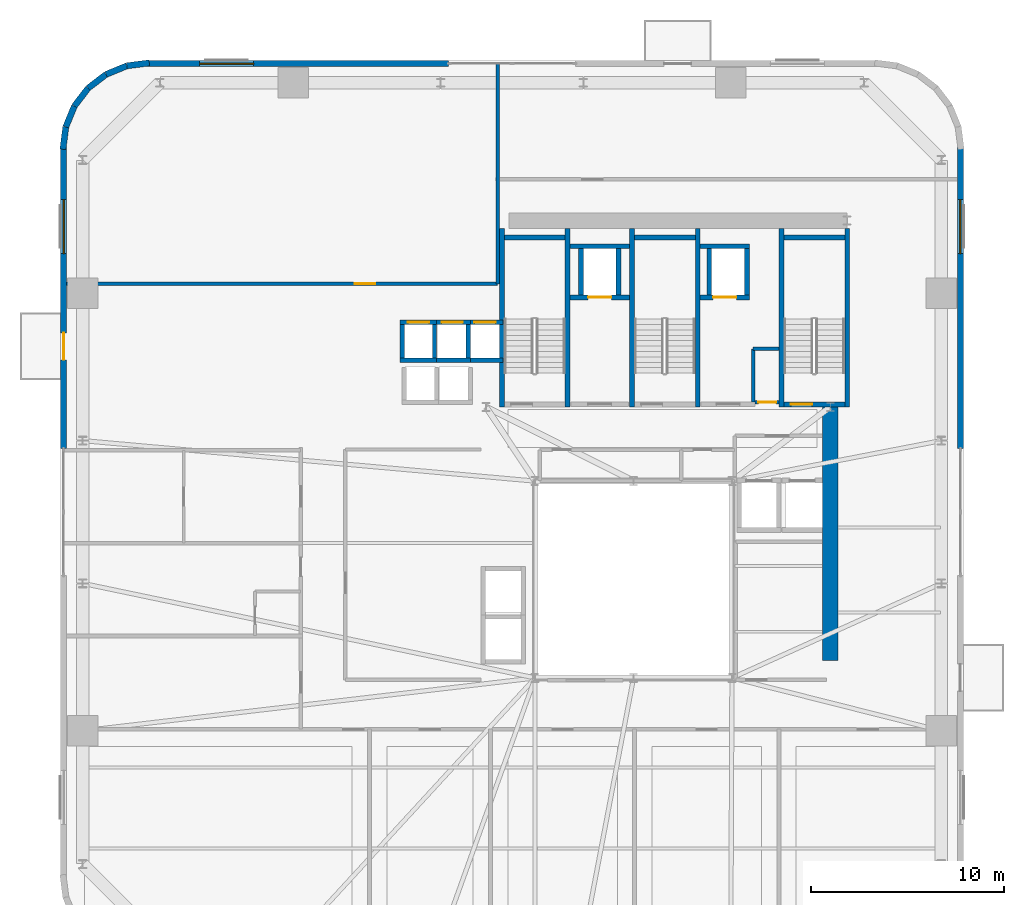
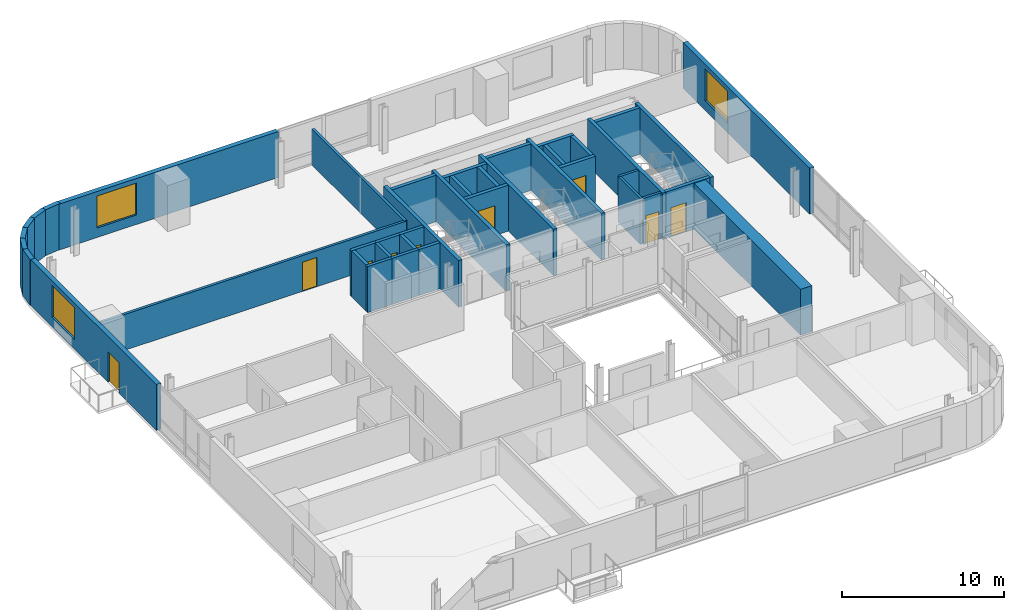
# One storey, part 8 of 12: 42 walls, 9 doors, 3 windows, 12 openings.
"""IFC4 building model written with IfcOpenShell, lengths in metres."""

from ifc_helpers import new_model, si_unit, direction, frame, frame_2d, origin, place, context, subcontext, project, spatial, rectangle, extrude, source, transform, mapped, material, layer, layer_set, type_object, element, fill, save


model = new_model("IFC4")

# Units and contexts
model_context = context("Model", 3, precision=1e-05, world=origin(), true_north=direction((0.0, 1.0)))
body_context = subcontext(model_context, "Body", "Model", "MODEL_VIEW")
ifc_project = project(units=[si_unit("LENGTHUNIT", "METRE"), si_unit("AREAUNIT", "SQUARE_METRE"), si_unit("VOLUMEUNIT", "CUBIC_METRE"), si_unit("PLANEANGLEUNIT", "RADIAN"), si_unit("MASSUNIT", "GRAM", prefix="KILO")], contexts=[model_context])

# Site, building, storey
site_placement = place(None, origin())
site = spatial("IfcSite", under=ifc_project, at=site_placement, CompositionType="ELEMENT")
building_placement = place(site_placement, origin())
building = spatial("IfcBuilding", under=site, at=building_placement, Name="Vardaveli Station Tower", CompositionType="ELEMENT")
storey_placement = place(building_placement, frame((0.0, 0.0, 118.699951171875)))
storey = spatial("IfcBuildingStorey", under=building, at=storey_placement, Name="L30", CompositionType="ELEMENT", Elevation=118.699951171875)

# Wall
ifc_material_1 = material(Name="Concrete C50/60", Category="concrete")
ifc_layer_1 = layer(ifc_material_1, 0.800048828125, Name="Concrete C50/60")
ifc_layer_set_1 = layer_set([ifc_layer_1], Name="Concrete C50/60")
wall_type_1 = type_object("IfcWallType", Name="WAL-CORE-800", PredefinedType="SHEAR", material=ifc_layer_set_1)
shared_shape_1 = source(origin(), body_context, "Body", "SweptSolid", [
    extrude(rectangle(XDim=13.14990234375, YDim=0.800048828125, at=frame_2d((6.574951171875, 0.0))), origin(), (0.0, 0.0, 1.0), 3.4599609375),
])
wall_1_placement = place(storey_placement, frame((46.5, 17.5, 0.0), z_axis=(0.0, 0.0, 1.0), x_axis=(0.0, 1.0, 0.0)))
element("IfcWall", 1, at=wall_1_placement, inside=storey, type_object=wall_type_1, Name="SW-L30-EAST2", PredefinedType="SHEAR", context=body_context, shape_type="MappedRepresentation", body=[
    mapped(shared_shape_1, transform((0.0, 0.0, 0.0), scale=1.0)),
])

# Wall, opening, window
ifc_material_2 = material(Name="Precast concrete C45/55", Category="concrete")
ifc_layer_2 = layer(ifc_material_2, 0.320068359375, Name="Precast concrete C45/55")
ifc_layer_set_2 = layer_set([ifc_layer_2], Name="Precast concrete C45/55")
wall_type_2 = type_object("IfcWallType", Name="WAL-EXT-STONE-320", PredefinedType="SOLIDWALL", material=ifc_layer_set_2)
shared_shape_2 = source(origin(), body_context, "Body", "SweptSolid", [
    extrude(rectangle(XDim=15.599853515625, YDim=0.320068359375, at=frame_2d((7.7998046875, 0.0))), origin(), (0.0, 0.0, 1.0), 3.4599609375),
])
wall_2_placement = place(storey_placement, frame((26.699951171875, 48.43994140625, 0.0), z_axis=(0.0, 0.0, 1.0), x_axis=(-1.0, 0.0, 0.0)))
wall_2 = element("IfcWall", 2, at=wall_2_placement, inside=storey, type_object=wall_type_2, Name="EW-L30-N2", PredefinedType="SOLIDWALL", context=body_context, shape_type="MappedRepresentation", body=[
    mapped(shared_shape_2, transform((0.0, 0.0, 0.0), scale=1.0)),
])
shared_shape_3 = source(origin(), body_context, "Body", "SweptSolid", [
    extrude(rectangle(XDim=2.800048828125, YDim=2.39990234375, at=frame_2d((1.39990234375, 1.199951171875))), frame((0.0, 0.169921875, 0.0), z_axis=(0.0, -1.0, 0.0), x_axis=(1.0, 0.0, 0.0)), (0.0, 0.0, 1.0), 0.340087890625),
])
opening_1_placement = place(wall_2_placement, frame((10.094970703125, 0.0, 0.719970703125)))
opening_1 = element("IfcOpeningElement", 3, at=opening_1_placement, cuts=wall_2, Name="Opening W-04", PredefinedType="OPENING", context=body_context, shape_type="MappedRepresentation", body=[
    mapped(shared_shape_3, transform((0.0, 0.0, 0.0), scale=1.0)),
])
ifc_material_3 = material(Name="Low-E solar-control glass", Category="glass")
window_type = type_object("IfcWindowType", Name="WIN-SUITE-2800x2400", PartitioningType="SINGLE_PANEL", PredefinedType="WINDOW", material=ifc_material_3)
shared_shape_4 = source(origin(), body_context, "Body", "SweptSolid", [
    extrude(rectangle(XDim=2.800048828125, YDim=2.39990234375, at=frame_2d((1.39990234375, 1.199951171875))), frame((0.0, 0.030029296875, 0.0), z_axis=(0.0, -1.0, 0.0), x_axis=(1.0, 0.0, 0.0)), (0.0, 0.0, 1.0), 0.06005859375),
])
window_1_placement = place(opening_1_placement, origin())
window_1 = element("IfcWindow", 4, at=window_1_placement, inside=storey, type_object=window_type, Name="WN-L30-N2", OverallHeight=2.39990234375, OverallWidth=2.800048828125, PartitioningType="SINGLE_PANEL", PredefinedType="WINDOW", context=body_context, shape_type="MappedRepresentation", body=[
    mapped(shared_shape_4, transform((0.0, 0.0, 0.0), scale=1.0)),
])
fill(opening_1, window_1)

# Wall, openings, door, window
shared_shape_5 = source(origin(), body_context, "Body", "SweptSolid", [
    extrude(rectangle(XDim=15.60009765625, YDim=0.320068359375, at=frame_2d((7.800048828125, 0.0))), origin(), (0.0, 0.0, 1.0), 3.4599609375),
])
wall_3_placement = place(storey_placement, frame((6.760009765625, 44.10009765625, 0.0), z_axis=(0.0, 0.0, 1.0), x_axis=(0.0, -1.0, 0.0)))
wall_3 = element("IfcWall", 5, at=wall_3_placement, inside=storey, type_object=wall_type_2, Name="EW-L30-W1", PredefinedType="SOLIDWALL", context=body_context, shape_type="MappedRepresentation", body=[
    mapped(shared_shape_5, transform((0.0, 0.0, 0.0), scale=1.0)),
])
shared_shape_6 = source(origin(), body_context, "Body", "SweptSolid", [
    extrude(rectangle(XDim=1.39990234375, YDim=2.300048828125, at=frame_2d((0.699951171875, 1.14990234375))), frame((0.0, 0.169921875, 0.0), z_axis=(0.0, -1.0, 0.0), x_axis=(1.0, 0.0, 0.0)), (0.0, 0.0, 1.0), 0.340087890625),
])
opening_2_placement = place(wall_3_placement, frame((9.6103515625, 0.0, 0.0)))
opening_2 = element("IfcOpeningElement", 6, at=opening_2_placement, cuts=wall_3, Name="Opening D-09", PredefinedType="OPENING", context=body_context, shape_type="MappedRepresentation", body=[
    mapped(shared_shape_6, transform((0.0, 0.0, 0.0), scale=1.0)),
])
opening_3_placement = place(wall_3_placement, frame((2.705078125, 0.0, 0.719970703125)))
opening_3 = element("IfcOpeningElement", 7, at=opening_3_placement, cuts=wall_3, Name="Opening W-04", PredefinedType="OPENING", context=body_context, shape_type="MappedRepresentation", body=[
    mapped(shared_shape_3, transform((0.0, 0.0, 0.0), scale=1.0)),
])
ifc_material_4 = material(Name="Thermally broken aluminium glass", Category="aluminium")
door_type_1 = type_object("IfcDoorType", Name="DR-LOG-1400x2300", OperationType="DOUBLE_DOOR_SLIDING", PredefinedType="DOOR", material=ifc_material_4)
shared_shape_7 = source(origin(), body_context, "Body", "SweptSolid", [
    extrude(rectangle(XDim=1.39990234375, YDim=2.300048828125, at=frame_2d((0.699951171875, 1.14990234375))), frame((0.0, 0.02490234375, 0.0), z_axis=(0.0, -1.0, 0.0), x_axis=(1.0, 0.0, 0.0)), (0.0, 0.0, 1.0), 0.050048828125),
])
door_1_placement = place(opening_2_placement, frame((1.39990234375, 0.0, 0.0), z_axis=(0.0, 0.0, 1.0), x_axis=(-1.0, 0.0, 0.0)))
door_1 = element("IfcDoor", 8, at=door_1_placement, inside=storey, type_object=door_type_1, Name="DLG-L30-W", OperationType="DOUBLE_DOOR_SLIDING", OverallHeight=2.300048828125, OverallWidth=1.39990234375, PredefinedType="DOOR", context=body_context, shape_type="MappedRepresentation", body=[
    mapped(shared_shape_7, transform((0.0, 0.0, 0.0), scale=1.0)),
])
fill(opening_2, door_1)
window_2_placement = place(opening_3_placement, origin())
window_2 = element("IfcWindow", 9, at=window_2_placement, inside=storey, type_object=window_type, Name="WN-L30-W1", OverallHeight=2.39990234375, OverallWidth=2.800048828125, PartitioningType="SINGLE_PANEL", PredefinedType="WINDOW", context=body_context, shape_type="MappedRepresentation", body=[
    mapped(shared_shape_4, transform((0.0, 0.0, 0.0), scale=1.0)),
])
fill(opening_3, window_2)

# Wall, opening, window
wall_4_placement = place(storey_placement, frame((53.239990234375, 28.5, 0.0), z_axis=(0.0, 0.0, 1.0), x_axis=(0.0, 1.0, 0.0)))
wall_4 = element("IfcWall", 10, at=wall_4_placement, inside=storey, type_object=wall_type_2, Name="EW-L30-E2", PredefinedType="SOLIDWALL", context=body_context, shape_type="MappedRepresentation", body=[
    mapped(shared_shape_5, transform((0.0, 0.0, 0.0), scale=1.0)),
])
opening_4_placement = place(wall_4_placement, frame((10.094970703125, 0.0, 0.719970703125)))
opening_4 = element("IfcOpeningElement", 11, at=opening_4_placement, cuts=wall_4, Name="Opening W-04", PredefinedType="OPENING", context=body_context, shape_type="MappedRepresentation", body=[
    mapped(shared_shape_3, transform((0.0, 0.0, 0.0), scale=1.0)),
])
window_3_placement = place(opening_4_placement, origin())
window_3 = element("IfcWindow", 12, at=window_3_placement, inside=storey, type_object=window_type, Name="WN-L30-E2", OverallHeight=2.39990234375, OverallWidth=2.800048828125, PartitioningType="SINGLE_PANEL", PredefinedType="WINDOW", context=body_context, shape_type="MappedRepresentation", body=[
    mapped(shared_shape_4, transform((0.0, 0.0, 0.0), scale=1.0)),
])
fill(opening_4, window_3)

# Walls
shared_shape_8 = source(origin(), body_context, "Body", "SweptSolid", [
    extrude(rectangle(XDim=1.1689453125, YDim=0.320068359375, at=frame_2d((0.58447265625, 0.0))), origin(), (0.0, 0.0, 1.0), 3.4599609375),
])
wall_5_placement = place(storey_placement, frame((8.03125, 47.1689453125, 0.0), z_axis=(0.0, 0.0, 1.0), x_axis=(-0.608387696831, -0.793639975269, 0.0)))
element("IfcWall", 13, at=wall_5_placement, inside=storey, type_object=wall_type_2, Name="EW-L30-CR4-4", PredefinedType="SOLIDWALL", context=body_context, shape_type="MappedRepresentation", body=[
    mapped(shared_shape_8, transform((0.0, 0.0, 0.0), scale=1.0)),
])
shared_shape_9 = source(origin(), body_context, "Body", "SweptSolid", [
    extrude(rectangle(XDim=1.168701171875, YDim=0.320068359375, at=frame_2d((0.58447265625, 0.0))), origin(), (0.0, 0.0, 1.0), 3.4599609375),
])
wall_6_placement = place(storey_placement, frame((8.958740234375, 47.8798828125, 0.0), z_axis=(0.0, 0.0, 1.0), x_axis=(-0.793663520347, -0.608356981114, 0.0)))
element("IfcWall", 14, at=wall_6_placement, inside=storey, type_object=wall_type_2, Name="EW-L30-CR4-3", PredefinedType="SOLIDWALL", context=body_context, shape_type="MappedRepresentation", body=[
    mapped(shared_shape_9, transform((0.0, 0.0, 0.0), scale=1.0)),
])
shared_shape_10 = source(origin(), body_context, "Body", "SweptSolid", [
    extrude(rectangle(XDim=1.17041015625, YDim=0.320068359375, at=frame_2d((0.585205078125, 0.0))), origin(), (0.0, 0.0, 1.0), 3.4599609375),
])
for number, where, z_axis, x_axis, name in (
    (15, (11.200439453125, 48.4755859375, 0.0), (0.0, 0.0, 1.0), (-0.991735963317, -0.128295670475, 0.0), "EW-L30-CR4-1"),
    (16, (6.87451171875, 45.16015625, 0.0), (0.0, 0.0, 1.0), (-0.128295670475, -0.991735963317, 0.0), "EW-L30-CR4-6"),
):
    element("IfcWall", number, at=place(storey_placement, frame(where, z_axis=z_axis, x_axis=x_axis)), inside=storey, type_object=wall_type_2, Name=name, PredefinedType="SOLIDWALL", context=body_context, shape_type="MappedRepresentation", body=[
        mapped(shared_shape_10, transform((0.0, 0.0, 0.0), scale=1.0)),
    ])
shared_shape_11 = source(origin(), body_context, "Body", "SweptSolid", [
    extrude(rectangle(XDim=1.169189453125, YDim=0.320068359375, at=frame_2d((0.58447265625, 0.0))), origin(), (0.0, 0.0, 1.0), 3.4599609375),
])
for number, where, z_axis, x_axis, name in (
    (17, (10.039794921875, 48.325439453125, 0.0), (0.0, 0.0, 1.0), (-0.924552646638, -0.381054331552, 0.0), "EW-L30-CR4-2"),
    (18, (7.320068359375, 46.2412109375, 0.0), (0.0, 0.0, 1.0), (-0.381054331552, -0.924552646638, 0.0), "EW-L30-CR4-5"),
):
    element("IfcWall", number, at=place(storey_placement, frame(where, z_axis=z_axis, x_axis=x_axis)), inside=storey, type_object=wall_type_2, Name=name, PredefinedType="SOLIDWALL", context=body_context, shape_type="MappedRepresentation", body=[
        mapped(shared_shape_11, transform((0.0, 0.0, 0.0), scale=1.0)),
    ])
ifc_material_5 = material(Name="Concrete C40/50", Category="concrete")
ifc_layer_3 = layer(ifc_material_5, 0.25, Name="Concrete C40/50")
ifc_layer_set_3 = layer_set([ifc_layer_3], Name="Concrete C40/50")
wall_type_3 = type_object("IfcWallType", Name="WAL-SHAFT-250", PredefinedType="SOLIDWALL", material=ifc_layer_set_3)
shared_shape_12 = source(origin(), body_context, "Body", "SweptSolid", [
    extrude(rectangle(XDim=9.25, YDim=0.25, at=frame_2d((4.625, 0.0))), origin(), (0.0, 0.0, 1.0), 3.5),
])
for number, where, z_axis, x_axis, name in (
    (19, (29.47509765625, 30.64990234375, 0.0), (0.0, 0.0, 1.0), (0.0, 1.0, 0.0), "W-L30-ST-1W"),
    (20, (32.875, 30.64990234375, 0.0), (0.0, 0.0, 1.0), (0.0, 1.0, 0.0), "W-L30-ST-1E"),
    (21, (36.22509765625, 30.64990234375, 0.0), (0.0, 0.0, 1.0), (0.0, 1.0, 0.0), "W-L30-ST-2W"),
    (22, (39.625, 30.64990234375, 0.0), (0.0, 0.0, 1.0), (0.0, 1.0, 0.0), "W-L30-ST-2E"),
    (23, (43.97509765625, 30.64990234375, 0.0), (0.0, 0.0, 1.0), (0.0, 1.0, 0.0), "W-L30-ST-3W"),
    (24, (47.375, 30.64990234375, 0.0), (0.0, 0.0, 1.0), (0.0, 1.0, 0.0), "W-L30-ST-3E"),
):
    element("IfcWall", number, at=place(storey_placement, frame(where, z_axis=z_axis, x_axis=x_axis)), inside=storey, type_object=wall_type_3, Name=name, PredefinedType="SOLIDWALL", context=body_context, shape_type="MappedRepresentation", body=[
        mapped(shared_shape_12, transform((0.0, 0.0, 0.0), scale=1.0)),
    ])
shared_shape_13 = source(origin(), body_context, "Body", "SweptSolid", [
    extrude(rectangle(XDim=3.14990234375, YDim=0.25, at=frame_2d((1.574951171875, 0.0))), origin(), (0.0, 0.0, 1.0), 3.5),
])
for number, where, z_axis, x_axis, name in (
    (25, (29.60009765625, 39.425048828125, 0.0), (0.0, 0.0, 1.0), (1.0, 0.0, 0.0), "W-L30-ST-1N"),
    (26, (36.35009765625, 39.425048828125, 0.0), (0.0, 0.0, 1.0), (1.0, 0.0, 0.0), "W-L30-ST-2N"),
    (27, (44.10009765625, 39.425048828125, 0.0), (0.0, 0.0, 1.0), (1.0, 0.0, 0.0), "W-L30-ST-3N"),
):
    element("IfcWall", number, at=place(storey_placement, frame(where, z_axis=z_axis, x_axis=x_axis)), inside=storey, type_object=wall_type_3, Name=name, PredefinedType="SOLIDWALL", context=body_context, shape_type="MappedRepresentation", body=[
        mapped(shared_shape_13, transform((0.0, 0.0, 0.0), scale=1.0)),
    ])

# Wall, opening, door
wall_7_placement = place(storey_placement, frame((44.10009765625, 30.77490234375, 0.0), z_axis=(0.0, 0.0, 1.0), x_axis=(1.0, 0.0, 0.0)))
wall_7 = element("IfcWall", 28, at=wall_7_placement, inside=storey, type_object=wall_type_3, Name="W-L30-ST-3S", PredefinedType="SOLIDWALL", context=body_context, shape_type="MappedRepresentation", body=[
    mapped(shared_shape_13, transform((0.0, 0.0, 0.0), scale=1.0)),
])
shared_shape_14 = source(origin(), body_context, "Body", "SweptSolid", [
    extrude(rectangle(XDim=1.10009765625, YDim=2.199951171875, at=frame_2d((0.550048828125, 1.10009765625))), frame((0.0, 0.135009765625, 0.0), z_axis=(0.0, -1.0, 0.0), x_axis=(1.0, 0.0, 0.0)), (0.0, 0.0, 1.0), 0.27001953125),
])
opening_5_placement = place(wall_7_placement, frame((0.35009765625, 0.0, 0.0)))
opening_5 = element("IfcOpeningElement", 29, at=opening_5_placement, cuts=wall_7, Name="Opening D-04", PredefinedType="OPENING", context=body_context, shape_type="MappedRepresentation", body=[
    mapped(shared_shape_14, transform((0.0, 0.0, 0.0), scale=1.0)),
])
ifc_material_6 = material(Name="Steel smokeproof fire doorset", Category="steel")
door_type_2 = type_object("IfcDoorType", Name="DR-ST-1100x2200", OperationType="NOTDEFINED", PredefinedType="DOOR", material=ifc_material_6)
shared_shape_15 = source(origin(), body_context, "Body", "SweptSolid", [
    extrude(rectangle(XDim=1.10009765625, YDim=2.199951171875, at=frame_2d((0.550048828125, 1.10009765625))), frame((0.0, 0.02490234375, 0.0), z_axis=(0.0, -1.0, 0.0), x_axis=(1.0, 0.0, 0.0)), (0.0, 0.0, 1.0), 0.050048828125),
])
door_2_placement = place(opening_5_placement, origin())
door_2 = element("IfcDoor", 30, at=door_2_placement, inside=storey, type_object=door_type_2, Name="DST-3-L30", OperationType="SINGLE_SWING_LEFT", OverallHeight=2.199951171875, OverallWidth=1.10009765625, PredefinedType="DOOR", context=body_context, shape_type="MappedRepresentation", body=[
    mapped(shared_shape_15, transform((0.0, 0.0, 0.0), scale=1.0)),
])
fill(opening_5, door_2)

# Wall
ifc_layer_4 = layer(ifc_material_5, 0.219970703125, Name="Concrete C40/50")
ifc_layer_set_4 = layer_set([ifc_layer_4], Name="Concrete C40/50")
wall_type_4 = type_object("IfcWallType", Name="WAL-FFLOBBY-220", PredefinedType="SOLIDWALL", material=ifc_layer_set_4)
shared_shape_16 = source(origin(), body_context, "Body", "SweptSolid", [
    extrude(rectangle(XDim=1.889892578125, YDim=0.219970703125, at=frame_2d((0.94482421875, 0.0))), origin(), (0.0, 0.0, 1.0), 3.4599609375),
])
wall_8_placement = place(storey_placement, frame((24.205078125, 33.06494140625, 0.0), z_axis=(0.0, 0.0, 1.0), x_axis=(1.0, 0.0, 0.0)))
element("IfcWall", 31, at=wall_8_placement, inside=storey, type_object=wall_type_4, Name="SHW-HL2-01-L30-S", PredefinedType="SOLIDWALL", context=body_context, shape_type="MappedRepresentation", body=[
    mapped(shared_shape_16, transform((0.0, 0.0, 0.0), scale=1.0)),
])

# Wall, opening, door
wall_9_placement = place(storey_placement, frame((24.205078125, 35.034912109375, 0.0), z_axis=(0.0, 0.0, 1.0), x_axis=(1.0, 0.0, 0.0)))
wall_9 = element("IfcWall", 32, at=wall_9_placement, inside=storey, type_object=wall_type_4, Name="SHW-HL2-01-L30-N", PredefinedType="SOLIDWALL", context=body_context, shape_type="MappedRepresentation", body=[
    mapped(shared_shape_16, transform((0.0, 0.0, 0.0), scale=1.0)),
])
shared_shape_17 = source(origin(), body_context, "Body", "SweptSolid", [
    extrude(rectangle(XDim=1.10009765625, YDim=2.199951171875, at=frame_2d((0.550048828125, 1.10009765625))), frame((0.0, 0.1201171875, 0.0), z_axis=(0.0, -1.0, 0.0), x_axis=(1.0, 0.0, 0.0)), (0.0, 0.0, 1.0), 0.239990234375),
])
opening_6_placement = place(wall_9_placement, frame((0.39501953125, 0.0, 0.0)))
opening_6 = element("IfcOpeningElement", 33, at=opening_6_placement, cuts=wall_9, Name="Opening LD-01", PredefinedType="OPENING", context=body_context, shape_type="MappedRepresentation", body=[
    mapped(shared_shape_17, transform((0.0, 0.0, 0.0), scale=1.0)),
])
ifc_material_7 = material(Name="Brushed stainless steel", Category="steel")
door_type_3 = type_object("IfcDoorType", Name="DR-LD-1100x2200", OperationType="DOUBLE_DOOR_SLIDING", PredefinedType="DOOR", material=ifc_material_7)
door_3_placement = place(opening_6_placement, origin())
door_3 = element("IfcDoor", 34, at=door_3_placement, inside=storey, type_object=door_type_3, Name="LD-HL2-01-L30", OperationType="DOUBLE_DOOR_SLIDING", OverallHeight=2.199951171875, OverallWidth=1.10009765625, PredefinedType="DOOR", context=body_context, shape_type="MappedRepresentation", body=[
    mapped(shared_shape_15, transform((0.0, 0.0, 0.0), scale=1.0)),
])
fill(opening_6, door_3)

# Wall
wall_10_placement = place(storey_placement, frame((25.955078125, 33.06494140625, 0.0), z_axis=(0.0, 0.0, 1.0), x_axis=(1.0, 0.0, 0.0)))
element("IfcWall", 35, at=wall_10_placement, inside=storey, type_object=wall_type_4, Name="SHW-HL2-02-L30-S", PredefinedType="SOLIDWALL", context=body_context, shape_type="MappedRepresentation", body=[
    mapped(shared_shape_16, transform((0.0, 0.0, 0.0), scale=1.0)),
])

# Wall, opening, door
wall_11_placement = place(storey_placement, frame((25.955078125, 35.034912109375, 0.0), z_axis=(0.0, 0.0, 1.0), x_axis=(1.0, 0.0, 0.0)))
wall_11 = element("IfcWall", 36, at=wall_11_placement, inside=storey, type_object=wall_type_4, Name="SHW-HL2-02-L30-N", PredefinedType="SOLIDWALL", context=body_context, shape_type="MappedRepresentation", body=[
    mapped(shared_shape_16, transform((0.0, 0.0, 0.0), scale=1.0)),
])
opening_7_placement = place(wall_11_placement, frame((0.39501953125, 0.0, 0.0)))
opening_7 = element("IfcOpeningElement", 37, at=opening_7_placement, cuts=wall_11, Name="Opening LD-01", PredefinedType="OPENING", context=body_context, shape_type="MappedRepresentation", body=[
    mapped(shared_shape_17, transform((0.0, 0.0, 0.0), scale=1.0)),
])
door_4_placement = place(opening_7_placement, origin())
door_4 = element("IfcDoor", 38, at=door_4_placement, inside=storey, type_object=door_type_3, Name="LD-HL2-02-L30", OperationType="DOUBLE_DOOR_SLIDING", OverallHeight=2.199951171875, OverallWidth=1.10009765625, PredefinedType="DOOR", context=body_context, shape_type="MappedRepresentation", body=[
    mapped(shared_shape_15, transform((0.0, 0.0, 0.0), scale=1.0)),
])
fill(opening_7, door_4)

# Wall
wall_12_placement = place(storey_placement, frame((27.655029296875, 33.06494140625, 0.0), z_axis=(0.0, 0.0, 1.0), x_axis=(1.0, 0.0, 0.0)))
element("IfcWall", 39, at=wall_12_placement, inside=storey, type_object=wall_type_4, Name="SHW-HL2-03-L30-S", PredefinedType="SOLIDWALL", context=body_context, shape_type="MappedRepresentation", body=[
    mapped(shared_shape_16, transform((0.0, 0.0, 0.0), scale=1.0)),
])

# Wall, opening, door
wall_13_placement = place(storey_placement, frame((27.655029296875, 35.034912109375, 0.0), z_axis=(0.0, 0.0, 1.0), x_axis=(1.0, 0.0, 0.0)))
wall_13 = element("IfcWall", 40, at=wall_13_placement, inside=storey, type_object=wall_type_4, Name="SHW-HL2-03-L30-N", PredefinedType="SOLIDWALL", context=body_context, shape_type="MappedRepresentation", body=[
    mapped(shared_shape_16, transform((0.0, 0.0, 0.0), scale=1.0)),
])
opening_8_placement = place(wall_13_placement, frame((0.39501953125, 0.0, 0.0)))
opening_8 = element("IfcOpeningElement", 41, at=opening_8_placement, cuts=wall_13, Name="Opening LD-01", PredefinedType="OPENING", context=body_context, shape_type="MappedRepresentation", body=[
    mapped(shared_shape_17, transform((0.0, 0.0, 0.0), scale=1.0)),
])
door_5_placement = place(opening_8_placement, origin())
door_5 = element("IfcDoor", 42, at=door_5_placement, inside=storey, type_object=door_type_3, Name="LD-HL2-03-L30", OperationType="DOUBLE_DOOR_SLIDING", OverallHeight=2.199951171875, OverallWidth=1.10009765625, PredefinedType="DOOR", context=body_context, shape_type="MappedRepresentation", body=[
    mapped(shared_shape_15, transform((0.0, 0.0, 0.0), scale=1.0)),
])
fill(opening_8, door_5)

# Walls
shared_shape_18 = source(origin(), body_context, "Body", "SweptSolid", [
    extrude(rectangle(XDim=1.75, YDim=0.219970703125, at=frame_2d((0.875, 0.0))), origin(), (0.0, 0.0, 1.0), 3.4599609375),
])
for number, where, z_axis, x_axis, name in (
    (43, (24.31494140625, 33.175048828125, 0.0), (0.0, 0.0, 1.0), (0.0, 1.0, 0.0), "SHW-HL2-01-L30-W"),
    (44, (25.985107421875, 33.175048828125, 0.0), (0.0, 0.0, 1.0), (0.0, 1.0, 0.0), "SHW-HL2-01-L30-E"),
    (45, (27.735107421875, 33.175048828125, 0.0), (0.0, 0.0, 1.0), (0.0, 1.0, 0.0), "SHW-HL2-02-L30-E"),
):
    element("IfcWall", number, at=place(storey_placement, frame(where, z_axis=z_axis, x_axis=x_axis)), inside=storey, type_object=wall_type_4, Name=name, PredefinedType="SOLIDWALL", context=body_context, shape_type="MappedRepresentation", body=[
        mapped(shared_shape_18, transform((0.0, 0.0, 0.0), scale=1.0)),
    ])

# Wall, opening, door
shared_shape_19 = source(origin(), body_context, "Body", "SweptSolid", [
    extrude(rectangle(XDim=3.10009765625, YDim=0.25, at=frame_2d((1.550048828125, 0.0))), origin(), (0.0, 0.0, 1.0), 3.4599609375),
])
wall_14_placement = place(storey_placement, frame((33.0, 36.324951171875, 0.0), z_axis=(0.0, 0.0, 1.0), x_axis=(1.0, 0.0, 0.0)))
wall_14 = element("IfcWall", 46, at=wall_14_placement, inside=storey, type_object=wall_type_3, Name="SHW-FFL-01-L30-S", PredefinedType="SOLIDWALL", context=body_context, shape_type="MappedRepresentation", body=[
    mapped(shared_shape_19, transform((0.0, 0.0, 0.0), scale=1.0)),
])
shared_shape_20 = source(origin(), body_context, "Body", "SweptSolid", [
    extrude(rectangle(XDim=1.199951171875, YDim=2.25, at=frame_2d((0.60009765625, 1.125))), frame((0.0, 0.135009765625, 0.0), z_axis=(0.0, -1.0, 0.0), x_axis=(1.0, 0.0, 0.0)), (0.0, 0.0, 1.0), 0.27001953125),
])
opening_9_placement = place(wall_14_placement, frame((0.949951171875, 0.0, 0.0)))
opening_9 = element("IfcOpeningElement", 47, at=opening_9_placement, cuts=wall_14, Name="Opening LD-02", PredefinedType="OPENING", context=body_context, shape_type="MappedRepresentation", body=[
    mapped(shared_shape_20, transform((0.0, 0.0, 0.0), scale=1.0)),
])
door_type_4 = type_object("IfcDoorType", Name="DR-LD-1200x2250", OperationType="DOUBLE_DOOR_SLIDING", PredefinedType="DOOR", material=ifc_material_7)
shared_shape_21 = source(origin(), body_context, "Body", "SweptSolid", [
    extrude(rectangle(XDim=1.199951171875, YDim=2.25, at=frame_2d((0.60009765625, 1.125))), frame((0.0, 0.02490234375, 0.0), z_axis=(0.0, -1.0, 0.0), x_axis=(1.0, 0.0, 0.0)), (0.0, 0.0, 1.0), 0.050048828125),
])
door_6_placement = place(opening_9_placement, origin())
door_6 = element("IfcDoor", 48, at=door_6_placement, inside=storey, type_object=door_type_4, Name="LD-FFL-01-L30", OperationType="DOUBLE_DOOR_SLIDING", OverallHeight=2.25, OverallWidth=1.199951171875, PredefinedType="DOOR", context=body_context, shape_type="MappedRepresentation", body=[
    mapped(shared_shape_21, transform((0.0, 0.0, 0.0), scale=1.0)),
])
fill(opening_9, door_6)

# Walls
wall_15_placement = place(storey_placement, frame((33.0, 38.97509765625, 0.0), z_axis=(0.0, 0.0, 1.0), x_axis=(1.0, 0.0, 0.0)))
element("IfcWall", 49, at=wall_15_placement, inside=storey, type_object=wall_type_3, Name="SHW-FFL-01-L30-N", PredefinedType="SOLIDWALL", context=body_context, shape_type="MappedRepresentation", body=[
    mapped(shared_shape_19, transform((0.0, 0.0, 0.0), scale=1.0)),
])
shared_shape_22 = source(origin(), body_context, "Body", "SweptSolid", [
    extrude(rectangle(XDim=2.400146484375, YDim=0.25, at=frame_2d((1.2001953125, 0.0))), origin(), (0.0, 0.0, 1.0), 3.4599609375),
])
for number, where, z_axis, x_axis, name in (
    (50, (33.574951171875, 36.449951171875, 0.0), (0.0, 0.0, 1.0), (0.0, 1.0, 0.0), "SHW-FFL-01-L30-W"),
    (51, (35.52490234375, 36.449951171875, 0.0), (0.0, 0.0, 1.0), (0.0, 1.0, 0.0), "SHW-FFL-01-L30-E"),
    (52, (40.22509765625, 36.449951171875, 0.0), (0.0, 0.0, 1.0), (0.0, 1.0, 0.0), "SHW-FFL-02-L30-W"),
    (53, (42.175048828125, 36.449951171875, 0.0), (0.0, 0.0, 1.0), (0.0, 1.0, 0.0), "SHW-FFL-02-L30-E"),
):
    element("IfcWall", number, at=place(storey_placement, frame(where, z_axis=z_axis, x_axis=x_axis)), inside=storey, type_object=wall_type_3, Name=name, PredefinedType="SOLIDWALL", context=body_context, shape_type="MappedRepresentation", body=[
        mapped(shared_shape_22, transform((0.0, 0.0, 0.0), scale=1.0)),
    ])

# Wall, opening, door
shared_shape_23 = source(origin(), body_context, "Body", "SweptSolid", [
    extrude(rectangle(XDim=2.550048828125, YDim=0.25, at=frame_2d((1.27490234375, 0.0))), origin(), (0.0, 0.0, 1.0), 3.4599609375),
])
wall_16_placement = place(storey_placement, frame((39.75, 36.324951171875, 0.0), z_axis=(0.0, 0.0, 1.0), x_axis=(1.0, 0.0, 0.0)))
wall_16 = element("IfcWall", 54, at=wall_16_placement, inside=storey, type_object=wall_type_3, Name="SHW-FFL-02-L30-S", PredefinedType="SOLIDWALL", context=body_context, shape_type="MappedRepresentation", body=[
    mapped(shared_shape_23, transform((0.0, 0.0, 0.0), scale=1.0)),
])
opening_10_placement = place(wall_16_placement, frame((0.675048828125, 0.0, 0.0)))
opening_10 = element("IfcOpeningElement", 55, at=opening_10_placement, cuts=wall_16, Name="Opening LD-02", PredefinedType="OPENING", context=body_context, shape_type="MappedRepresentation", body=[
    mapped(shared_shape_20, transform((0.0, 0.0, 0.0), scale=1.0)),
])
door_7_placement = place(opening_10_placement, origin())
door_7 = element("IfcDoor", 56, at=door_7_placement, inside=storey, type_object=door_type_4, Name="LD-FFL-02-L30", OperationType="DOUBLE_DOOR_SLIDING", OverallHeight=2.25, OverallWidth=1.199951171875, PredefinedType="DOOR", context=body_context, shape_type="MappedRepresentation", body=[
    mapped(shared_shape_21, transform((0.0, 0.0, 0.0), scale=1.0)),
])
fill(opening_10, door_7)

# Wall
wall_17_placement = place(storey_placement, frame((39.75, 38.97509765625, 0.0), z_axis=(0.0, 0.0, 1.0), x_axis=(1.0, 0.0, 0.0)))
element("IfcWall", 57, at=wall_17_placement, inside=storey, type_object=wall_type_3, Name="SHW-FFL-02-L30-N", PredefinedType="SOLIDWALL", context=body_context, shape_type="MappedRepresentation", body=[
    mapped(shared_shape_23, transform((0.0, 0.0, 0.0), scale=1.0)),
])

# Wall, opening, door
ifc_material_8 = material(Name="Fire-rated gypsum stud partition")
ifc_layer_5 = layer(ifc_material_8, 0.179931640625, Name="Fire-rated gypsum stud partition")
ifc_layer_set_5 = layer_set([ifc_layer_5], Name="Fire-rated gypsum stud partition")
wall_type_5 = type_object("IfcWallType", Name="WAL-CORR-180", PredefinedType="PARTITIONING", material=ifc_layer_set_5)
shared_shape_24 = source(origin(), body_context, "Body", "SweptSolid", [
    extrude(rectangle(XDim=1.247802734375, YDim=0.179931640625, at=frame_2d((0.6240234375, 0.0))), origin(), (0.0, 0.0, 1.0), 3.4599609375),
])
wall_18_placement = place(storey_placement, frame((42.60009765625, 30.8798828125, 0.0), z_axis=(0.0, 0.0, 1.0), x_axis=(1.0, 0.0, 0.0)))
wall_18 = element("IfcWall", 58, at=wall_18_placement, inside=storey, type_object=wall_type_5, Name="W-L30-CBS0-S", PredefinedType="PARTITIONING", context=body_context, shape_type="MappedRepresentation", body=[
    mapped(shared_shape_24, transform((0.0, 0.0, 0.0), scale=1.0)),
])
shared_shape_25 = source(origin(), body_context, "Body", "SweptSolid", [
    extrude(rectangle(XDim=0.919921875, YDim=2.10009765625, at=frame_2d((0.4599609375, 1.050048828125))), frame((0.0, 0.10009765625, 0.0), z_axis=(0.0, -1.0, 0.0), x_axis=(1.0, 0.0, 0.0)), (0.0, 0.0, 1.0), 0.199951171875),
])
opening_11_placement = place(wall_18_placement, frame((0.1640625, 0.0, 0.0)))
opening_11 = element("IfcOpeningElement", 59, at=opening_11_placement, cuts=wall_18, Name="Opening D-07", PredefinedType="OPENING", context=body_context, shape_type="MappedRepresentation", body=[
    mapped(shared_shape_25, transform((0.0, 0.0, 0.0), scale=1.0)),
])
ifc_material_9 = material(Name="Moisture-resistant hardwood door", Category="wood")
door_type_5 = type_object("IfcDoorType", Name="DR-WC-920x2100", OperationType="NOTDEFINED", PredefinedType="DOOR", material=ifc_material_9)
shared_shape_26 = source(origin(), body_context, "Body", "SweptSolid", [
    extrude(rectangle(XDim=0.919921875, YDim=2.10009765625, at=frame_2d((0.4599609375, 1.050048828125))), frame((0.0, 0.02490234375, 0.0), z_axis=(0.0, -1.0, 0.0), x_axis=(1.0, 0.0, 0.0)), (0.0, 0.0, 1.0), 0.050048828125),
])
door_8_placement = place(opening_11_placement, origin())
door_8 = element("IfcDoor", 60, at=door_8_placement, inside=storey, type_object=door_type_5, Name="D-L30-CBS0", OperationType="SINGLE_SWING_LEFT", OverallHeight=2.10009765625, OverallWidth=0.919921875, PredefinedType="DOOR", context=body_context, shape_type="MappedRepresentation", body=[
    mapped(shared_shape_26, transform((0.0, 0.0, 0.0), scale=1.0)),
])
fill(opening_11, door_8)

# Wall
shared_shape_27 = source(origin(), body_context, "Body", "SweptSolid", [
    extrude(rectangle(XDim=1.347900390625, YDim=0.179931640625, at=frame_2d((0.673828125, 0.0))), origin(), (0.0, 0.0, 1.0), 3.4599609375),
])
wall_19_placement = place(storey_placement, frame((42.5, 33.64990234375, 0.0), z_axis=(0.0, 0.0, 1.0), x_axis=(1.0, 0.0, 0.0)))
element("IfcWall", 61, at=wall_19_placement, inside=storey, type_object=wall_type_5, Name="W-L30-CBS0-N", PredefinedType="PARTITIONING", context=body_context, shape_type="MappedRepresentation", body=[
    mapped(shared_shape_27, transform((0.0, 0.0, 0.0), scale=1.0)),
])

# Wall, opening, door
shared_shape_28 = source(origin(), body_context, "Body", "SweptSolid", [
    extrude(rectangle(XDim=22.327880859375, YDim=0.179931640625, at=frame_2d((11.1640625, 0.0))), origin(), (0.0, 0.0, 1.0), 2.7021484375),
])
wall_20_placement = place(storey_placement, frame((6.922119140625, 37.02001953125, 0.0), z_axis=(0.0, 0.0, 1.0), x_axis=(1.0, 0.0, 0.0)))
wall_20 = element("IfcWall", 62, at=wall_20_placement, inside=storey, type_object=wall_type_5, Name="W-L30-CNWS", PredefinedType="PARTITIONING", context=body_context, shape_type="MappedRepresentation", body=[
    mapped(shared_shape_28, transform((0.0, 0.0, 0.0), scale=1.0)),
])
shared_shape_29 = source(origin(), body_context, "Body", "SweptSolid", [
    extrude(rectangle(XDim=1.050048828125, YDim=2.199951171875, at=frame_2d((0.52490234375, 1.10009765625))), frame((0.0, 0.10009765625, 0.0), z_axis=(0.0, -1.0, 0.0), x_axis=(1.0, 0.0, 0.0)), (0.0, 0.0, 1.0), 0.199951171875),
])
opening_12_placement = place(wall_20_placement, frame((14.927978515625, 0.0, 0.0)))
opening_12 = element("IfcOpeningElement", 63, at=opening_12_placement, cuts=wall_20, Name="Opening D-05", PredefinedType="OPENING", context=body_context, shape_type="MappedRepresentation", body=[
    mapped(shared_shape_29, transform((0.0, 0.0, 0.0), scale=1.0)),
])
ifc_material_10 = material(Name="Walnut veneer acoustic fire door")
door_type_6 = type_object("IfcDoorType", Name="DR-SUITE-1050x2200", OperationType="NOTDEFINED", PredefinedType="DOOR", material=ifc_material_10)
shared_shape_30 = source(origin(), body_context, "Body", "SweptSolid", [
    extrude(rectangle(XDim=1.050048828125, YDim=2.199951171875, at=frame_2d((0.52490234375, 1.10009765625))), frame((0.0, 0.02490234375, 0.0), z_axis=(0.0, -1.0, 0.0), x_axis=(1.0, 0.0, 0.0)), (0.0, 0.0, 1.0), 0.050048828125),
])
door_9_placement = place(opening_12_placement, origin())
door_9 = element("IfcDoor", 64, at=door_9_placement, inside=storey, type_object=door_type_6, Name="D-L30-GNW1", OperationType="SINGLE_SWING_RIGHT", OverallHeight=2.199951171875, OverallWidth=1.050048828125, PredefinedType="DOOR", context=body_context, shape_type="MappedRepresentation", body=[
    mapped(shared_shape_30, transform((0.0, 0.0, 0.0), scale=1.0)),
])
fill(opening_12, door_9)

# Walls
shared_shape_31 = source(origin(), body_context, "Body", "SweptSolid", [
    extrude(rectangle(XDim=11.449951171875, YDim=0.179931640625, at=frame_2d((5.72509765625, 0.0))), origin(), (0.0, 0.0, 1.0), 2.7021484375),
])
wall_21_placement = place(storey_placement, frame((29.25, 37.02001953125, 0.0), z_axis=(0.0, 0.0, 1.0), x_axis=(0.0, 1.0, 0.0)))
element("IfcWall", 65, at=wall_21_placement, inside=storey, type_object=wall_type_5, Name="W-L30-CNWE", PredefinedType="PARTITIONING", context=body_context, shape_type="MappedRepresentation", body=[
    mapped(shared_shape_31, transform((0.0, 0.0, 0.0), scale=1.0)),
])
shared_shape_32 = source(origin(), body_context, "Body", "SweptSolid", [
    extrude(rectangle(XDim=2.7578125, YDim=0.179931640625, at=frame_2d((1.37890625, 0.0))), origin(), (0.0, 0.0, 1.0), 3.4599609375),
])
wall_22_placement = place(storey_placement, frame((42.5, 30.89208984375, 0.0), z_axis=(0.0, 0.0, 1.0), x_axis=(0.0, 1.0, 0.0)))
element("IfcWall", 66, at=wall_22_placement, inside=storey, type_object=wall_type_5, Name="W-L30-CBS0-W", PredefinedType="PARTITIONING", context=body_context, shape_type="MappedRepresentation", body=[
    mapped(shared_shape_32, transform((0.0, 0.0, 0.0), scale=1.0)),
])

save(model, "model.ifc")
